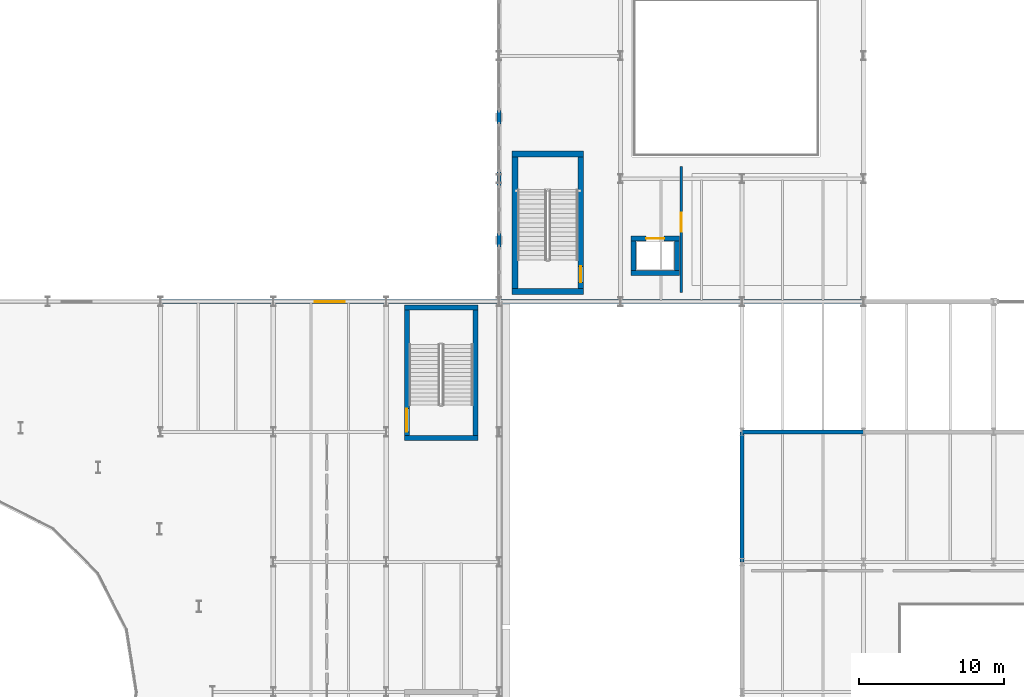
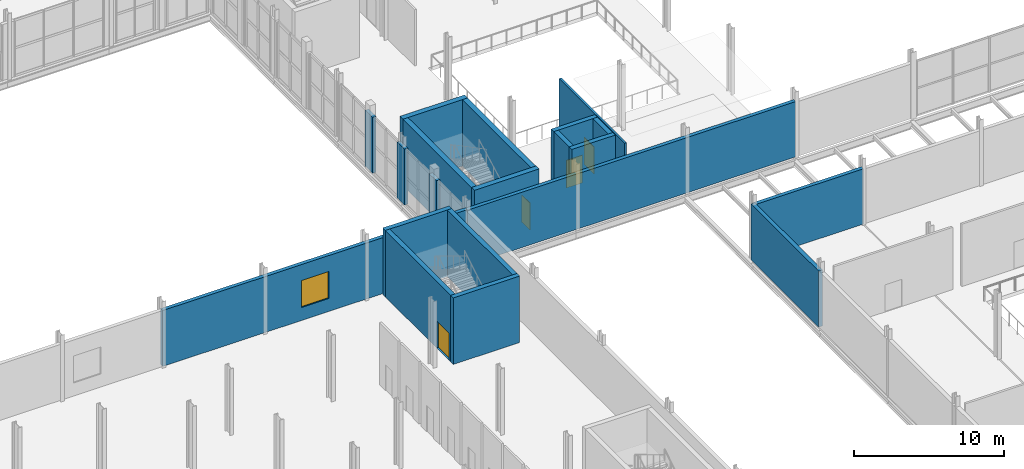
# One storey, part 53 of 78: 20 walls, 4 doors, 1 window, 5 openings.
"""IFC4 building model written with IfcOpenShell, lengths in metres."""

from ifc_helpers import new_model, si_unit, direction, frame, frame_2d, origin, place, context, subcontext, project, spatial, rectangle, extrude, material, layer, layer_set, type_object, element, fill, save


model = new_model("IFC4")

# Units and contexts
model_context = context("Model", 3, precision=1e-05, world=origin(), true_north=direction((0.0, 1.0)))
body_context = subcontext(model_context, "Body", "Model", "MODEL_VIEW")
ifc_project = project(units=[si_unit("LENGTHUNIT", "METRE"), si_unit("AREAUNIT", "SQUARE_METRE"), si_unit("VOLUMEUNIT", "CUBIC_METRE"), si_unit("PLANEANGLEUNIT", "RADIAN"), si_unit("MASSUNIT", "GRAM", prefix="KILO")], contexts=[model_context])

# Site, building, storey
site_placement = place(None, origin())
site = spatial("IfcSite", under=ifc_project, at=site_placement, CompositionType="ELEMENT")
building_placement = place(site_placement, origin())
building = spatial("IfcBuilding", under=site, at=building_placement, Name="Sefraquen Railside Congress Hotel", CompositionType="ELEMENT")
storey_placement = place(building_placement, frame((0.0, 0.0, 6.0)))
storey = spatial("IfcBuildingStorey", under=building, at=storey_placement, Name="L01", CompositionType="ELEMENT", Elevation=6.0)

# Walls
ifc_material_1 = material(Name="Concrete C50/60", Category="concrete")
ifc_layer_1 = layer(ifc_material_1, 0.35009765625)
ifc_layer_set_1 = layer_set([ifc_layer_1], Name="Concrete C50/60")
wall_type_1 = type_object("IfcWallType", Name="TW-CW-350", PredefinedType="SHEAR", material=ifc_layer_set_1)
for number, where, z_axis, x_axis, name in (
    (1, (96.64990234375, 53.60498046875, 0.0), (0.0, 0.0, 1.0), (1.0, 0.0, 0.0), "Core shear wall ST-C04 N L01"),
    (2, (96.64990234375, 44.574951171875, 0.0), (0.0, 0.0, 1.0), (1.0, 0.0, 0.0), "Core shear wall ST-C04 S L01"),
):
    element("IfcWall", number, at=place(storey_placement, frame(where, z_axis=z_axis, x_axis=x_axis)), inside=storey, type_object=wall_type_1, Name=name, PredefinedType="SHEAR", context=body_context, shape_type="SweptSolid", body=[
        extrude(rectangle(XDim=5.10009765625, YDim=0.35009765625, at=frame_2d((2.550048828125, 0.0))), origin(), (0.0, 0.0, 1.0), 5.39990234375),
    ])

# Wall, opening, door
wall_1_placement = place(storey_placement, frame((96.824951171875, 44.75, 0.0), z_axis=(0.0, 0.0, 1.0), x_axis=(0.0, 1.0, 0.0)))
wall_1 = element("IfcWall", 3, at=wall_1_placement, inside=storey, type_object=wall_type_1, Name="Core shear wall ST-C04 W L01", PredefinedType="SHEAR", context=body_context, shape_type="SweptSolid", body=[
    extrude(rectangle(XDim=8.679931640625, YDim=0.35009765625, at=frame_2d((4.33984375, 0.0))), origin(), (0.0, 0.0, 1.0), 5.39990234375),
])
opening_1_placement = place(wall_1_placement, frame((0.25, 0.0, 0.0)))
opening_1 = element("IfcOpeningElement", 4, at=opening_1_placement, cuts=wall_1, Name="Opening FD-02", PredefinedType="OPENING", context=body_context, shape_type="SweptSolid", body=[
    extrude(rectangle(XDim=1.60009765625, YDim=2.199951171875, at=frame_2d((0.800048828125, 1.10009765625))), frame((0.0, 0.18505859375, 0.0), z_axis=(0.0, -1.0, 0.0), x_axis=(1.0, 0.0, 0.0)), (0.0, 0.0, 1.0), 0.3701171875),
])
ifc_material_2 = material(Name="Fire-rated steel", Category="steel")
door_type_1 = type_object("IfcDoorType", Name="TD-FD-02", OperationType="NOTDEFINED", PredefinedType="DOOR", material=ifc_material_2)
door_1_placement = place(opening_1_placement, frame((1.60009765625, 0.0, 0.0), z_axis=(0.0, 0.0, 1.0), x_axis=(-1.0, 0.0, 0.0)))
door_1 = element("IfcDoor", 5, at=door_1_placement, inside=storey, type_object=door_type_1, Name="Pressurized stair ST-C04 fire door L01", OperationType="SINGLE_SWING_LEFT", OverallHeight=2.199951171875, OverallWidth=1.60009765625, PredefinedType="DOOR", context=body_context, shape_type="SweptSolid", body=[
    extrude(rectangle(XDim=1.60009765625, YDim=2.199951171875, at=frame_2d((0.800048828125, 1.10009765625))), frame((0.0, 0.02490234375, 0.0), z_axis=(0.0, -1.0, 0.0), x_axis=(1.0, 0.0, 0.0)), (0.0, 0.0, 1.0), 0.050048828125),
])
fill(opening_1, door_1)

# Wall
wall_2_placement = place(storey_placement, frame((101.574951171875, 44.75, 0.0), z_axis=(0.0, 0.0, 1.0), x_axis=(0.0, 1.0, 0.0)))
element("IfcWall", 6, at=wall_2_placement, inside=storey, type_object=wall_type_1, Name="Core shear wall ST-C04 E L01", PredefinedType="SHEAR", context=body_context, shape_type="SweptSolid", body=[
    extrude(rectangle(XDim=8.679931640625, YDim=0.35009765625, at=frame_2d((4.33984375, 0.0))), origin(), (0.0, 0.0, 1.0), 5.39990234375),
])

# Wall, opening, door
wall_3_placement = place(storey_placement, frame((112.330078125, 58.364990234375, 0.0), z_axis=(0.0, 0.0, 1.0), x_axis=(1.0, 0.0, 0.0)))
wall_3 = element("IfcWall", 7, at=wall_3_placement, inside=storey, type_object=wall_type_1, Name="Lift SL-01 shaft wall N L01", PredefinedType="SHEAR", context=body_context, shape_type="SweptSolid", body=[
    extrude(rectangle(XDim=3.33984375, YDim=0.35009765625, at=frame_2d((1.669921875, 0.0))), origin(), (0.0, 0.0, 1.0), 5.050048828125),
])
opening_2_placement = place(wall_3_placement, frame((1.044921875, 0.0, 0.0)))
opening_2 = element("IfcOpeningElement", 8, at=opening_2_placement, cuts=wall_3, Name="Opening LD-02", PredefinedType="OPENING", context=body_context, shape_type="SweptSolid", body=[
    extrude(rectangle(XDim=1.25, YDim=2.25, at=frame_2d((0.625, 1.125))), frame((0.0, 0.18505859375, 0.0), z_axis=(0.0, -1.0, 0.0), x_axis=(1.0, 0.0, 0.0)), (0.0, 0.0, 1.0), 0.3701171875),
])
ifc_material_3 = material(Name="Brushed stainless steel", Category="steel")
door_type_2 = type_object("IfcDoorType", Name="TD-LD-02", OperationType="NOTDEFINED", PredefinedType="DOOR", material=ifc_material_3)
door_2_placement = place(opening_2_placement, origin())
door_2 = element("IfcDoor", 9, at=door_2_placement, inside=storey, type_object=door_type_2, Name="Lift landing door SL-01 L01", OperationType="SLIDING_TO_LEFT", OverallHeight=2.25, OverallWidth=1.25, PredefinedType="DOOR", context=body_context, shape_type="SweptSolid", body=[
    extrude(rectangle(XDim=1.25, YDim=2.25, at=frame_2d((0.625, 1.125))), frame((0.0, 0.02490234375, 0.0), z_axis=(0.0, -1.0, 0.0), x_axis=(1.0, 0.0, 0.0)), (0.0, 0.0, 1.0), 0.050048828125),
])
fill(opening_2, door_2)

# Walls
wall_4_placement = place(storey_placement, frame((112.330078125, 55.97509765625, 0.0), z_axis=(0.0, 0.0, 1.0), x_axis=(1.0, 0.0, 0.0)))
element("IfcWall", 10, at=wall_4_placement, inside=storey, type_object=wall_type_1, Name="Lift SL-01 shaft wall S L01", PredefinedType="SHEAR", context=body_context, shape_type="SweptSolid", body=[
    extrude(rectangle(XDim=3.33984375, YDim=0.35009765625, at=frame_2d((1.669921875, 0.0))), origin(), (0.0, 0.0, 1.0), 5.050048828125),
])
for number, where, z_axis, x_axis, name in (
    (11, (112.5048828125, 56.14990234375, 0.0), (0.0, 0.0, 1.0), (0.0, 1.0, 0.0), "Lift SL-01 shaft wall W L01"),
    (12, (115.4951171875, 56.14990234375, 0.0), (0.0, 0.0, 1.0), (0.0, 1.0, 0.0), "Lift SL-01 shaft wall E L01"),
):
    element("IfcWall", number, at=place(storey_placement, frame(where, z_axis=z_axis, x_axis=x_axis)), inside=storey, type_object=wall_type_1, Name=name, PredefinedType="SHEAR", context=body_context, shape_type="SweptSolid", body=[
        extrude(rectangle(XDim=2.0400390625, YDim=0.35009765625, at=frame_2d((1.02001953125, 0.0))), origin(), (0.0, 0.0, 1.0), 5.050048828125),
    ])
ifc_layer_2 = layer(ifc_material_1, 0.39990234375)
ifc_layer_set_2 = layer_set([ifc_layer_2], Name="Concrete C50/60")
wall_type_2 = type_object("IfcWallType", Name="TW-CW-400", PredefinedType="SHEAR", material=ifc_layer_set_2)
for number, where, z_axis, x_axis, name in (
    (13, (104.10009765625, 64.2119140625, 0.0), (0.0, 0.0, 1.0), (1.0, 0.0, 0.0), "Core shear wall ST-M02 N L01"),
    (14, (104.10009765625, 54.699951171875, 0.0), (0.0, 0.0, 1.0), (1.0, 0.0, 0.0), "Core shear wall ST-M02 S L01"),
):
    element("IfcWall", number, at=place(storey_placement, frame(where, z_axis=z_axis, x_axis=x_axis)), inside=storey, type_object=wall_type_2, Name=name, PredefinedType="SHEAR", context=body_context, shape_type="SweptSolid", body=[
        extrude(rectangle(XDim=4.9599609375, YDim=0.39990234375, at=frame_2d((2.47998046875, 0.0))), origin(), (0.0, 0.0, 1.0), 5.39990234375),
    ])
wall_5_placement = place(storey_placement, frame((104.300048828125, 54.89990234375, 0.0), z_axis=(0.0, 0.0, 1.0), x_axis=(0.0, 1.0, 0.0)))
element("IfcWall", 15, at=wall_5_placement, inside=storey, type_object=wall_type_2, Name="Core shear wall ST-M02 W L01", PredefinedType="SHEAR", context=body_context, shape_type="SweptSolid", body=[
    extrude(rectangle(XDim=9.112060546875, YDim=0.39990234375, at=frame_2d((4.55615234375, 0.0))), origin(), (0.0, 0.0, 1.0), 5.39990234375),
])

# Wall, opening, door
wall_6_placement = place(storey_placement, frame((108.860107421875, 54.89990234375, 0.0), z_axis=(0.0, 0.0, 1.0), x_axis=(0.0, 1.0, 0.0)))
wall_6 = element("IfcWall", 16, at=wall_6_placement, inside=storey, type_object=wall_type_2, Name="Core shear wall ST-M02 E L01", PredefinedType="SHEAR", context=body_context, shape_type="SweptSolid", body=[
    extrude(rectangle(XDim=9.112060546875, YDim=0.39990234375, at=frame_2d((4.55615234375, 0.0))), origin(), (0.0, 0.0, 1.0), 5.39990234375),
])
opening_3_placement = place(wall_6_placement, frame((0.43994140625, 0.0, 0.0)))
opening_3 = element("IfcOpeningElement", 17, at=opening_3_placement, cuts=wall_6, Name="Opening FD-04", PredefinedType="OPENING", context=body_context, shape_type="SweptSolid", body=[
    extrude(rectangle(XDim=1.10009765625, YDim=2.199951171875, at=frame_2d((0.550048828125, 1.10009765625))), frame((0.0, 0.2099609375, 0.0), z_axis=(0.0, -1.0, 0.0), x_axis=(1.0, 0.0, 0.0)), (0.0, 0.0, 1.0), 0.419921875),
])
door_type_3 = type_object("IfcDoorType", Name="TD-FD-04", OperationType="NOTDEFINED", PredefinedType="DOOR", material=ifc_material_2)
door_3_placement = place(opening_3_placement, origin())
door_3 = element("IfcDoor", 18, at=door_3_placement, inside=storey, type_object=door_type_3, Name="Pressurized stair ST-M02 fire door L01", OperationType="SINGLE_SWING_LEFT", OverallHeight=2.199951171875, OverallWidth=1.10009765625, PredefinedType="DOOR", context=body_context, shape_type="SweptSolid", body=[
    extrude(rectangle(XDim=1.10009765625, YDim=2.199951171875, at=frame_2d((0.550048828125, 1.10009765625))), frame((0.0, 0.02490234375, 0.0), z_axis=(0.0, -1.0, 0.0), x_axis=(1.0, 0.0, 0.0)), (0.0, 0.0, 1.0), 0.050048828125),
])
fill(opening_3, door_3)

# Wall, opening, window
ifc_material_4 = material(Name="Ochre Rabat calcarenite limestone and Concrete C40/50 backing", Category="masonry")
ifc_layer_3 = layer(ifc_material_4, 0.280029296875)
ifc_layer_set_3 = layer_set([ifc_layer_3], Name="Ochre Rabat calcarenite limestone and Concrete C40/50 backing")
wall_type_3 = type_object("IfcWallType", Name="TW-EW-280", PredefinedType="STANDARD", material=ifc_layer_set_3)
wall_7_placement = place(storey_placement, frame((79.800048828125, 54.0, 0.0), z_axis=(0.0, 0.0, 1.0), x_axis=(1.0, 0.0, 0.0)))
wall_7 = element("IfcWall", 19, at=wall_7_placement, inside=storey, type_object=wall_type_3, Name="Congress Hall L01 courtyard north facade wall 3", PredefinedType="STANDARD", context=body_context, shape_type="SweptSolid", body=[
    extrude(rectangle(XDim=23.39990234375, YDim=0.280029296875, at=frame_2d((11.699951171875, 0.0))), origin(), (0.0, 0.0, 1.0), 4.5400390625),
])
opening_4_placement = place(wall_7_placement, frame((10.64990234375, 0.0, 1.050048828125)))
opening_4 = element("IfcOpeningElement", 20, at=opening_4_placement, cuts=wall_7, Name="Opening WN-07", PredefinedType="OPENING", context=body_context, shape_type="SweptSolid", body=[
    extrude(rectangle(XDim=2.10009765625, YDim=2.199951171875, at=frame_2d((1.050048828125, 1.10009765625))), frame((0.0, 0.14990234375, 0.0), z_axis=(0.0, -1.0, 0.0), x_axis=(1.0, 0.0, 0.0)), (0.0, 0.0, 1.0), 0.300048828125),
])
ifc_material_5 = material(Name="Solar-control low-E double glazing in bronze-anodised frame", Category="glass")
window_type = type_object("IfcWindowType", Name="TWN-W-07", PartitioningType="DOUBLE_PANEL_VERTICAL", PredefinedType="WINDOW", material=ifc_material_5)
window_placement = place(opening_4_placement, origin())
window = element("IfcWindow", 21, at=window_placement, inside=storey, type_object=window_type, Name="Congress courtyard north window L01-3", OverallHeight=2.199951171875, OverallWidth=2.10009765625, PartitioningType="DOUBLE_PANEL_VERTICAL", PredefinedType="WINDOW", context=body_context, shape_type="SweptSolid", body=[
    extrude(rectangle(XDim=2.10009765625, YDim=2.199951171875, at=frame_2d((1.050048828125, 1.10009765625))), frame((0.0, 0.030029296875, 0.0), z_axis=(0.0, -1.0, 0.0), x_axis=(1.0, 0.0, 0.0)), (0.0, 0.0, 1.0), 0.06005859375),
])
fill(opening_4, window)

# Walls
wall_8_placement = place(storey_placement, frame((103.199951171875, 54.0, 0.0), z_axis=(0.0, 0.0, 1.0), x_axis=(1.0, 0.0, 0.0)))
element("IfcWall", 22, at=wall_8_placement, inside=storey, type_object=wall_type_3, Name="Meeting Wing L01 south courtyard facade wall", PredefinedType="STANDARD", context=body_context, shape_type="SweptSolid", body=[
    extrude(rectangle(XDim=25.199951171875, YDim=0.280029296875, at=frame_2d((12.60009765625, 0.0))), origin(), (0.0, 0.0, 1.0), 4.489990234375),
])
for number, where, z_axis, x_axis, name in (
    (23, (103.199951171875, 57.77001953125, 0.0), (0.0, 0.0, 1.0), (0.0, 1.0, 0.0), "Courtyard east gallery curtain wall L01 column pier closure 1"),
    (24, (103.199951171875, 62.02001953125, 0.0), (0.0, 0.0, 1.0), (0.0, 1.0, 0.0), "Courtyard east gallery curtain wall L01 column pier closure 2"),
    (25, (103.199951171875, 66.27001953125, 0.0), (0.0, 0.0, 1.0), (0.0, 1.0, 0.0), "Courtyard east gallery curtain wall L01 column pier closure 3"),
):
    element("IfcWall", number, at=place(storey_placement, frame(where, z_axis=z_axis, x_axis=x_axis)), inside=storey, type_object=wall_type_3, Name=name, PredefinedType="STANDARD", context=body_context, shape_type="SweptSolid", body=[
        extrude(rectangle(XDim=0.9599609375, YDim=0.260009765625, at=frame_2d((0.47998046875, 0.0))), origin(), (0.0, 0.0, 1.0), 4.550048828125),
    ])
wall_9_placement = place(storey_placement, frame((120.0, 45.0, 0.0), z_axis=(0.0, 0.0, 1.0), x_axis=(1.0, 0.0, 0.0)))
element("IfcWall", 26, at=wall_9_placement, inside=storey, type_object=wall_type_3, Name="Thermal Spa L01 north garden wall 1", PredefinedType="STANDARD", context=body_context, shape_type="SweptSolid", body=[
    extrude(rectangle(XDim=8.39990234375, YDim=0.280029296875, at=frame_2d((4.199951171875, 0.0))), origin(), (0.0, 0.0, 1.0), 4.489990234375),
])
ifc_layer_4 = layer(ifc_material_4, 0.300048828125)
ifc_layer_set_4 = layer_set([ifc_layer_4], Name="Ochre Rabat calcarenite limestone and Concrete C40/50 backing")
wall_type_4 = type_object("IfcWallType", Name="TW-EW-300", PredefinedType="STANDARD", material=ifc_layer_set_4)
wall_10_placement = place(storey_placement, frame((120.0, 36.0, 0.0), z_axis=(0.0, 0.0, 1.0), x_axis=(0.0, 1.0, 0.0)))
element("IfcWall", 27, at=wall_10_placement, inside=storey, type_object=wall_type_4, Name="Thermal Spa L01 west facade wall 4", PredefinedType="STANDARD", context=body_context, shape_type="SweptSolid", body=[
    extrude(rectangle(XDim=9.0, YDim=0.300048828125, at=frame_2d((4.5, 0.0))), origin(), (0.0, 0.0, 1.0), 4.550048828125),
])

# Wall, opening, door
ifc_material_6 = material(Name="Moisture-resistant gypsum board", Category="gypsum")
ifc_layer_5 = layer(ifc_material_6, 0.159912109375)
ifc_layer_set_5 = layer_set([ifc_layer_5], Name="Moisture-resistant gypsum board")
wall_type_5 = type_object("IfcWallType", Name="TW-PW-160", PredefinedType="PARTITIONING", material=ifc_layer_set_5)
wall_11_placement = place(storey_placement, frame((115.800048828125, 54.64990234375, 0.0), z_axis=(0.0, 0.0, 1.0), x_axis=(0.0, 1.0, 0.0)))
wall_11 = element("IfcWall", 28, at=wall_11_placement, inside=storey, type_object=wall_type_5, Name="Conference Suite 04 enclosure wall", PredefinedType="PARTITIONING", context=body_context, shape_type="SweptSolid", body=[
    extrude(rectangle(XDim=8.7001953125, YDim=0.159912109375, at=frame_2d((4.35009765625, 0.0))), origin(), (0.0, 0.0, 1.0), 5.050048828125),
])
opening_5_placement = place(wall_11_placement, frame((4.199951171875, 0.0, 0.0)))
opening_5 = element("IfcOpeningElement", 29, at=opening_5_placement, cuts=wall_11, Name="Opening MD-02", PredefinedType="OPENING", context=body_context, shape_type="SweptSolid", body=[
    extrude(rectangle(XDim=1.300048828125, YDim=2.199951171875, at=frame_2d((0.64990234375, 1.10009765625))), frame((0.0, 0.08984375, 0.0), z_axis=(0.0, -1.0, 0.0), x_axis=(1.0, 0.0, 0.0)), (0.0, 0.0, 1.0), 0.179931640625),
])
ifc_material_7 = material(Name="Acoustic cedar veneer", Category="wood")
door_type_4 = type_object("IfcDoorType", Name="TD-MD-02", OperationType="NOTDEFINED", PredefinedType="DOOR", material=ifc_material_7)
door_4_placement = place(opening_5_placement, origin())
door_4 = element("IfcDoor", 30, at=door_4_placement, inside=storey, type_object=door_type_4, Name="Conference Suite 04 entrance door", OperationType="SINGLE_SWING_RIGHT", OverallHeight=2.199951171875, OverallWidth=1.300048828125, PredefinedType="DOOR", context=body_context, shape_type="SweptSolid", body=[
    extrude(rectangle(XDim=1.300048828125, YDim=2.199951171875, at=frame_2d((0.64990234375, 1.10009765625))), frame((0.0, 0.02490234375, 0.0), z_axis=(0.0, -1.0, 0.0), x_axis=(1.0, 0.0, 0.0)), (0.0, 0.0, 1.0), 0.050048828125),
])
fill(opening_5, door_4)

save(model, "model.ifc")
